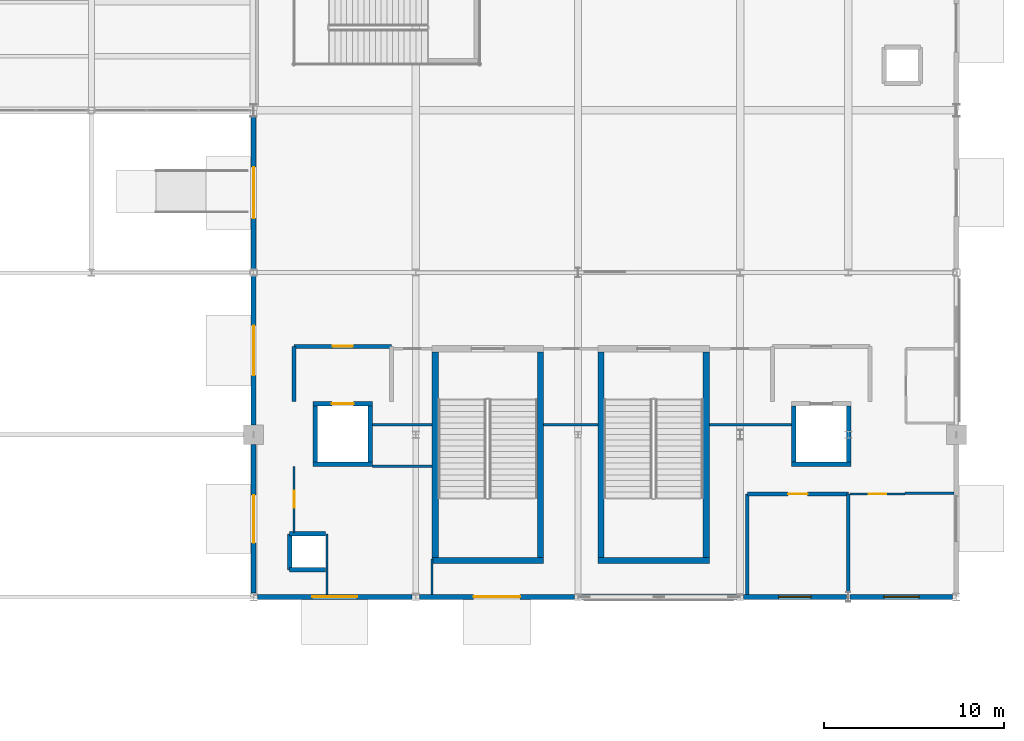
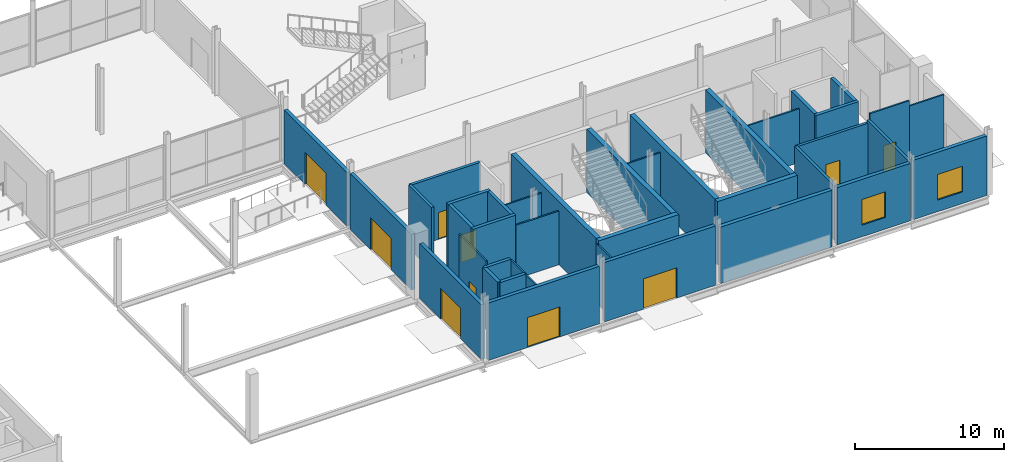
# One storey, part 58 of 94: 38 walls, 10 doors, 2 windows, 12 openings.
"""IFC4 building model written with IfcOpenShell, lengths in metres."""

from ifc_helpers import new_model, si_unit, direction, frame, frame_2d, origin, place, context, subcontext, project, spatial, rectangle, extrude, material, layer, layer_set, type_object, element, fill, save


model = new_model("IFC4")

# Units and contexts
model_context = context("Model", 3, precision=1e-05, world=origin(), true_north=direction((0.0, 1.0)))
body_context = subcontext(model_context, "Body", "Model", "MODEL_VIEW")
ifc_project = project(units=[si_unit("LENGTHUNIT", "METRE"), si_unit("AREAUNIT", "SQUARE_METRE"), si_unit("VOLUMEUNIT", "CUBIC_METRE"), si_unit("PLANEANGLEUNIT", "RADIAN"), si_unit("MASSUNIT", "GRAM", prefix="KILO")], contexts=[model_context])

# Site, building, storey
site_placement = place(None, origin())
site = spatial("IfcSite", under=ifc_project, at=site_placement, CompositionType="ELEMENT")
building_placement = place(site_placement, origin())
building = spatial("IfcBuilding", under=site, at=building_placement, Name="Qamarlyn Nura Convention Centre", CompositionType="ELEMENT")
storey_placement = place(building_placement, origin())
storey = spatial("IfcBuildingStorey", under=building, at=storey_placement, Name="L00", CompositionType="ELEMENT", Elevation=0.0)

# Wall, opening, door
ifc_material_1 = material(Name="Fire-rated acoustic gypsum board and mineral wool EI 120")
ifc_layer_1 = layer(ifc_material_1, 0.219970703125, Name="WT-COMP-220")
ifc_layer_set_1 = layer_set([ifc_layer_1], Name="Fire-rated acoustic gypsum board and mineral wool EI 120")
wall_type_1 = type_object("IfcWallType", Name="WT-COMP-220", PredefinedType="SOLIDWALL", material=ifc_layer_set_1)
wall_1_placement = place(storey_placement, frame((155.25, 13.89990234375, 0.0), z_axis=(0.0, 0.0, 1.0), x_axis=(1.0, 0.0, 0.0)))
wall_1 = element("IfcWall", 1, at=wall_1_placement, inside=storey, type_object=wall_type_1, Name="L00 firefighting lobby barrier wall FFL-01-OPP", PredefinedType="SOLIDWALL", context=body_context, shape_type="SweptSolid", body=[
    extrude(rectangle(XDim=5.39990234375, YDim=0.219970703125, at=frame_2d((2.699951171875, 0.0))), origin(), (0.0, 0.0, 1.0), 5.179931640625),
])
opening_1_placement = place(wall_1_placement, frame((2.139892578125, 0.0, 0.0)))
opening_1 = element("IfcOpeningElement", 2, at=opening_1_placement, cuts=wall_1, Name="Opening DF-104", PredefinedType="OPENING", context=body_context, shape_type="SweptSolid", body=[
    extrude(rectangle(XDim=1.1201171875, YDim=2.199951171875, at=frame_2d((0.56005859375, 1.10009765625))), frame((0.0, 0.1201171875, 0.0), z_axis=(0.0, -1.0, 0.0), x_axis=(1.0, 0.0, 0.0)), (0.0, 0.0, 1.0), 0.239990234375),
])
ifc_material_2 = material(Name="Galvanised fire-rated hollow steel door", Category="steel")
door_type_1 = type_object("IfcDoorType", Name="DR-FFL-1120", OperationType="NOTDEFINED", PredefinedType="DOOR", material=ifc_material_2)
door_1_placement = place(opening_1_placement, origin())
door_1 = element("IfcDoor", 3, at=door_1_placement, inside=storey, type_object=door_type_1, Name="L00 firefighting lobby door FFL-01 (DF-104)", OperationType="SINGLE_SWING_RIGHT", OverallHeight=2.199951171875, OverallWidth=1.1201171875, PredefinedType="DOOR", context=body_context, shape_type="SweptSolid", body=[
    extrude(rectangle(XDim=1.1201171875, YDim=2.199951171875, at=frame_2d((0.56005859375, 1.10009765625))), frame((0.0, 0.02490234375, 0.0), z_axis=(0.0, -1.0, 0.0), x_axis=(1.0, 0.0, 0.0)), (0.0, 0.0, 1.0), 0.050048828125),
])
fill(opening_1, door_1)

# Walls
wall_2_placement = place(storey_placement, frame((155.25, 10.85009765625, 0.0), z_axis=(0.0, 0.0, 1.0), x_axis=(0.0, 1.0, 0.0)))
element("IfcWall", 4, at=wall_2_placement, inside=storey, type_object=wall_type_1, Name="L00 firefighting lobby barrier wall FFL-01-W", PredefinedType="SOLIDWALL", context=body_context, shape_type="SweptSolid", body=[
    extrude(rectangle(XDim=3.0498046875, YDim=0.219970703125, at=frame_2d((1.52490234375, 0.0))), origin(), (0.0, 0.0, 1.0), 5.179931640625),
])
ifc_material_3 = material(Name="Concrete C50/60", Category="concrete")
ifc_layer_2 = layer(ifc_material_3, 0.35009765625, Name="WT-CORE-350")
ifc_layer_set_2 = layer_set([ifc_layer_2], Name="Concrete C50/60")
wall_type_2 = type_object("IfcWallType", Name="WT-CORE-350", PredefinedType="SHEAR", material=ifc_layer_set_2)
wall_3_placement = place(storey_placement, frame((162.89990234375, 2.02490234375, 0.0), z_axis=(0.0, 0.0, 1.0), x_axis=(1.0, 0.0, 0.0)))
element("IfcWall", 5, at=wall_3_placement, inside=storey, type_object=wall_type_2, Name="L00 stair core shear wall ST-09-S", PredefinedType="SHEAR", context=body_context, shape_type="SweptSolid", body=[
    extrude(rectangle(XDim=6.2001953125, YDim=0.35009765625, at=frame_2d((3.10009765625, 0.0))), origin(), (0.0, 0.0, 1.0), 5.179931640625),
])
for number, where, z_axis, x_axis, name in (
    (6, (163.074951171875, 13.60009765625, 0.0), (0.0, 0.0, 1.0), (0.0, -1.0, 0.0), "L00 stair core shear wall ST-09-W"),
    (7, (168.925048828125, 2.199951171875, 0.0), (0.0, 0.0, 1.0), (0.0, 1.0, 0.0), "L00 stair core shear wall ST-09-E"),
):
    element("IfcWall", number, at=place(storey_placement, frame(where, z_axis=z_axis, x_axis=x_axis)), inside=storey, type_object=wall_type_2, Name=name, PredefinedType="SHEAR", context=body_context, shape_type="SweptSolid", body=[
        extrude(rectangle(XDim=11.400146484375, YDim=0.35009765625, at=frame_2d((5.7001953125, 0.0))), origin(), (0.0, 0.0, 1.0), 5.179931640625),
    ])
wall_4_placement = place(storey_placement, frame((172.10009765625, 2.02490234375, 0.0), z_axis=(0.0, 0.0, 1.0), x_axis=(1.0, 0.0, 0.0)))
element("IfcWall", 8, at=wall_4_placement, inside=storey, type_object=wall_type_2, Name="L00 stair core shear wall ST-10-S", PredefinedType="SHEAR", context=body_context, shape_type="SweptSolid", body=[
    extrude(rectangle(XDim=6.199951171875, YDim=0.35009765625, at=frame_2d((3.10009765625, 0.0))), origin(), (0.0, 0.0, 1.0), 5.179931640625),
])
for number, where, z_axis, x_axis, name in (
    (9, (172.27490234375, 13.60009765625, 0.0), (0.0, 0.0, 1.0), (0.0, -1.0, 0.0), "L00 stair core shear wall ST-10-W"),
    (10, (178.125, 2.199951171875, 0.0), (0.0, 0.0, 1.0), (0.0, 1.0, 0.0), "L00 stair core shear wall ST-10-E"),
):
    element("IfcWall", number, at=place(storey_placement, frame(where, z_axis=z_axis, x_axis=x_axis)), inside=storey, type_object=wall_type_2, Name=name, PredefinedType="SHEAR", context=body_context, shape_type="SweptSolid", body=[
        extrude(rectangle(XDim=11.400146484375, YDim=0.35009765625, at=frame_2d((5.7001953125, 0.0))), origin(), (0.0, 0.0, 1.0), 5.179931640625),
    ])

# Wall, opening, door
ifc_material_4 = material(Name="Concrete C40/50", Category="concrete")
ifc_layer_3 = layer(ifc_material_4, 0.280029296875, Name="WT-EXT-280")
ifc_layer_set_3 = layer_set([ifc_layer_3], Name="Concrete C40/50")
wall_type_3 = type_object("IfcWallType", Name="WT-EXT-280", PredefinedType="SOLIDWALL", material=ifc_layer_set_3)
wall_5_placement = place(storey_placement, frame((161.800537109375, 0.0, 0.0), z_axis=(0.0, 0.0, 1.0), x_axis=(-1.0, 0.0, 0.0)))
wall_5 = element("IfcWall", 11, at=wall_5_placement, inside=storey, type_object=wall_type_3, Name="L00 exterior facade wall WEXT-L00-1618-0-1532-0", PredefinedType="SOLIDWALL", context=body_context, shape_type="SweptSolid", body=[
    extrude(rectangle(XDim=8.595947265625, YDim=0.280029296875, at=frame_2d((4.2978515625, 0.0))), origin(), (0.0, 0.0, 1.0), 4.698974609375),
])
opening_2_placement = place(wall_5_placement, frame((3.048095703125, 0.0, 0.0)))
opening_2 = element("IfcOpeningElement", 12, at=opening_2_placement, cuts=wall_5, Name="Opening E-43", PredefinedType="OPENING", context=body_context, shape_type="SweptSolid", body=[
    extrude(rectangle(XDim=2.5, YDim=2.449951171875, at=frame_2d((1.25, 1.22509765625))), frame((0.0, 0.14990234375, 0.0), z_axis=(0.0, -1.0, 0.0), x_axis=(1.0, 0.0, 0.0)), (0.0, 0.0, 1.0), 0.300048828125),
])
ifc_material_5 = material(Name="Champagne-anodised marine aluminium", Category="aluminium")
door_type_2 = type_object("IfcDoorType", Name="DR-EXIT-2500", OperationType="DOUBLE_DOOR_SINGLE_SWING", PredefinedType="DOOR", material=ifc_material_5)
door_2_placement = place(opening_2_placement, origin())
door_2 = element("IfcDoor", 13, at=door_2_placement, inside=storey, type_object=door_type_2, Name="Final exit E-43", OperationType="DOUBLE_DOOR_SINGLE_SWING", OverallHeight=2.449951171875, OverallWidth=2.5, PredefinedType="DOOR", context=body_context, shape_type="SweptSolid", body=[
    extrude(rectangle(XDim=2.5, YDim=2.449951171875, at=frame_2d((1.25, 1.22509765625))), frame((0.0, 0.02490234375, 0.0), z_axis=(0.0, -1.0, 0.0), x_axis=(1.0, 0.0, 0.0)), (0.0, 0.0, 1.0), 0.050048828125),
])
fill(opening_2, door_2)

wall_6_placement = place(storey_placement, frame((170.81298828125, 0.0, 0.0), z_axis=(0.0, 0.0, 1.0), x_axis=(-1.0, 0.0, 0.0)))
wall_6 = element("IfcWall", 14, at=wall_6_placement, inside=storey, type_object=wall_type_3, Name="L00 exterior facade wall WEXT-L00-1708-0-1622-0", PredefinedType="SOLIDWALL", context=body_context, shape_type="SweptSolid", body=[
    extrude(rectangle(XDim=8.613525390625, YDim=0.280029296875, at=frame_2d((4.306640625, 0.0))), origin(), (0.0, 0.0, 1.0), 4.864990234375),
])
opening_3_placement = place(wall_6_placement, frame((3.0166015625, 0.0, 0.0)))
opening_3 = element("IfcOpeningElement", 15, at=opening_3_placement, cuts=wall_6, Name="Opening E-44", PredefinedType="OPENING", context=body_context, shape_type="SweptSolid", body=[
    extrude(rectangle(XDim=2.580078125, YDim=2.47998046875, at=frame_2d((1.2900390625, 1.239990234375))), frame((0.0, 0.14990234375, 0.0), z_axis=(0.0, -1.0, 0.0), x_axis=(1.0, 0.0, 0.0)), (0.0, 0.0, 1.0), 0.300048828125),
])
door_type_3 = type_object("IfcDoorType", Name="DR-EXIT-2580", OperationType="DOUBLE_DOOR_SINGLE_SWING", PredefinedType="DOOR", material=ifc_material_5)
door_3_placement = place(opening_3_placement, origin())
door_3 = element("IfcDoor", 16, at=door_3_placement, inside=storey, type_object=door_type_3, Name="Final exit E-44", OperationType="DOUBLE_DOOR_SINGLE_SWING", OverallHeight=2.47998046875, OverallWidth=2.580078125, PredefinedType="DOOR", context=body_context, shape_type="SweptSolid", body=[
    extrude(rectangle(XDim=2.580078125, YDim=2.47998046875, at=frame_2d((1.2900390625, 1.239990234375))), frame((0.0, 0.02490234375, 0.0), z_axis=(0.0, -1.0, 0.0), x_axis=(1.0, 0.0, 0.0)), (0.0, 0.0, 1.0), 0.050048828125),
])
fill(opening_3, door_3)

# Wall, opening, window
wall_7_placement = place(storey_placement, frame((185.89453125, 0.0, 0.0), z_axis=(0.0, 0.0, 1.0), x_axis=(-1.0, 0.0, 0.0)))
wall_7 = element("IfcWall", 17, at=wall_7_placement, inside=storey, type_object=wall_type_3, Name="L00 exterior facade wall WEXT-L00-1859-0-1802-0", PredefinedType="SOLIDWALL", context=body_context, shape_type="SweptSolid", body=[
    extrude(rectangle(XDim=5.7099609375, YDim=0.280029296875, at=frame_2d((2.85498046875, 0.0))), origin(), (0.0, 0.0, 1.0), 4.698974609375),
])
opening_4_placement = place(wall_7_placement, frame((1.955078125, 0.0, 0.949951171875)))
opening_4 = element("IfcOpeningElement", 18, at=opening_4_placement, cuts=wall_7, Name="Opening WN15", PredefinedType="OPENING", context=body_context, shape_type="SweptSolid", body=[
    extrude(rectangle(XDim=1.800048828125, YDim=2.10009765625, at=frame_2d((0.89990234375, 1.050048828125))), frame((0.0, 0.14990234375, 0.0), z_axis=(0.0, -1.0, 0.0), x_axis=(1.0, 0.0, 0.0)), (0.0, 0.0, 1.0), 0.300048828125),
])
ifc_material_6 = material(Name="Double-silver low-E insulated glass", Category="glass")
window_type_1 = type_object("IfcWindowType", Name="WIN-SOL-15", PartitioningType="SINGLE_PANEL", PredefinedType="WINDOW", material=ifc_material_6)
window_1_placement = place(opening_4_placement, origin())
window_1 = element("IfcWindow", 19, at=window_1_placement, inside=storey, type_object=window_type_1, Name="L00 solar-control window 015", OverallHeight=2.10009765625, OverallWidth=1.800048828125, PartitioningType="SINGLE_PANEL", PredefinedType="WINDOW", context=body_context, shape_type="SweptSolid", body=[
    extrude(rectangle(XDim=1.800048828125, YDim=2.10009765625, at=frame_2d((0.89990234375, 1.050048828125))), frame((0.0, 0.030029296875, 0.0), z_axis=(0.0, -1.0, 0.0), x_axis=(1.0, 0.0, 0.0)), (0.0, 0.0, 1.0), 0.06005859375),
])
fill(opening_4, window_1)

wall_8_placement = place(storey_placement, frame((191.79541015625, 0.0, 0.0), z_axis=(0.0, 0.0, 1.0), x_axis=(-1.0, 0.0, 0.0)))
wall_8 = element("IfcWall", 20, at=wall_8_placement, inside=storey, type_object=wall_type_3, Name="L00 exterior facade wall WEXT-L00-1918-0-1861-0", PredefinedType="SOLIDWALL", context=body_context, shape_type="SweptSolid", body=[
    extrude(rectangle(XDim=5.68994140625, YDim=0.280029296875, at=frame_2d((2.844970703125, 0.0))), origin(), (0.0, 0.0, 1.0), 4.864990234375),
])
opening_5_placement = place(wall_8_placement, frame((1.8701171875, 0.0, 0.949951171875)))
opening_5 = element("IfcOpeningElement", 21, at=opening_5_placement, cuts=wall_8, Name="Opening WN16", PredefinedType="OPENING", context=body_context, shape_type="SweptSolid", body=[
    extrude(rectangle(XDim=1.949951171875, YDim=2.10009765625, at=frame_2d((0.97509765625, 1.050048828125))), frame((0.0, 0.14990234375, 0.0), z_axis=(0.0, -1.0, 0.0), x_axis=(1.0, 0.0, 0.0)), (0.0, 0.0, 1.0), 0.300048828125),
])
window_type_2 = type_object("IfcWindowType", Name="WIN-SOL-16", PartitioningType="SINGLE_PANEL", PredefinedType="WINDOW", material=ifc_material_6)
window_2_placement = place(opening_5_placement, origin())
window_2 = element("IfcWindow", 22, at=window_2_placement, inside=storey, type_object=window_type_2, Name="L00 solar-control window 016", OverallHeight=2.10009765625, OverallWidth=1.949951171875, PartitioningType="SINGLE_PANEL", PredefinedType="WINDOW", context=body_context, shape_type="SweptSolid", body=[
    extrude(rectangle(XDim=1.949951171875, YDim=2.10009765625, at=frame_2d((0.97509765625, 1.050048828125))), frame((0.0, 0.030029296875, 0.0), z_axis=(0.0, -1.0, 0.0), x_axis=(1.0, 0.0, 0.0)), (0.0, 0.0, 1.0), 0.06005859375),
])
fill(opening_5, window_2)

# Wall, opening, door
wall_9_placement = place(storey_placement, frame((153.0, 0.21240234375, 0.0), z_axis=(0.0, 0.0, 1.0), x_axis=(0.0, 1.0, 0.0)))
wall_9 = element("IfcWall", 23, at=wall_9_placement, inside=storey, type_object=wall_type_3, Name="L00 exterior facade wall WEXT-L00-1530-2-1530-84", PredefinedType="SOLIDWALL", context=body_context, shape_type="SweptSolid", body=[
    extrude(rectangle(XDim=8.237548828125, YDim=0.280029296875, at=frame_2d((4.11865234375, 0.0))), origin(), (0.0, 0.0, 1.0), 4.48095703125),
])
opening_6_placement = place(wall_9_placement, frame((2.793701171875, 0.0, 0.0)))
opening_6 = element("IfcOpeningElement", 24, at=opening_6_placement, cuts=wall_9, Name="Opening E-45", PredefinedType="OPENING", context=body_context, shape_type="SweptSolid", body=[
    extrude(rectangle(XDim=2.64990234375, YDim=2.52001953125, at=frame_2d((1.324951171875, 1.260009765625))), frame((0.0, 0.14990234375, 0.0), z_axis=(0.0, -1.0, 0.0), x_axis=(1.0, 0.0, 0.0)), (0.0, 0.0, 1.0), 0.300048828125),
])
door_type_4 = type_object("IfcDoorType", Name="DR-EXIT-2650", OperationType="DOUBLE_DOOR_SINGLE_SWING", PredefinedType="DOOR", material=ifc_material_5)
door_4_placement = place(opening_6_placement, origin())
door_4 = element("IfcDoor", 25, at=door_4_placement, inside=storey, type_object=door_type_4, Name="Final exit E-45", OperationType="DOUBLE_DOOR_SINGLE_SWING", OverallHeight=2.52001953125, OverallWidth=2.64990234375, PredefinedType="DOOR", context=body_context, shape_type="SweptSolid", body=[
    extrude(rectangle(XDim=2.64990234375, YDim=2.52001953125, at=frame_2d((1.324951171875, 1.260009765625))), frame((0.0, 0.02490234375, 0.0), z_axis=(0.0, -1.0, 0.0), x_axis=(1.0, 0.0, 0.0)), (0.0, 0.0, 1.0), 0.050048828125),
])
fill(opening_6, door_4)

wall_10_placement = place(storey_placement, frame((153.0, 9.550048828125, 0.0), z_axis=(0.0, 0.0, 1.0), x_axis=(0.0, 1.0, 0.0)))
wall_10 = element("IfcWall", 26, at=wall_10_placement, inside=storey, type_object=wall_type_3, Name="L00 exterior facade wall WEXT-L00-1530-96-1530-178", PredefinedType="SOLIDWALL", context=body_context, shape_type="SweptSolid", body=[
    extrude(rectangle(XDim=8.25, YDim=0.280029296875, at=frame_2d((4.125, 0.0))), origin(), (0.0, 0.0, 1.0), 4.553955078125),
])
opening_7_placement = place(wall_10_placement, frame((2.75, 0.0, 0.0)))
opening_7 = element("IfcOpeningElement", 27, at=opening_7_placement, cuts=wall_10, Name="Opening E-46", PredefinedType="OPENING", context=body_context, shape_type="SweptSolid", body=[
    extrude(rectangle(XDim=2.75, YDim=2.580078125, at=frame_2d((1.375, 1.2900390625))), frame((0.0, 0.14990234375, 0.0), z_axis=(0.0, -1.0, 0.0), x_axis=(1.0, 0.0, 0.0)), (0.0, 0.0, 1.0), 0.300048828125),
])
door_type_5 = type_object("IfcDoorType", Name="DR-MAIN-2750", OperationType="DOUBLE_DOOR_SINGLE_SWING", PredefinedType="DOOR", material=ifc_material_5)
door_5_placement = place(opening_7_placement, origin())
door_5 = element("IfcDoor", 28, at=door_5_placement, inside=storey, type_object=door_type_5, Name="Final exit E-46", OperationType="DOUBLE_DOOR_SINGLE_SWING", OverallHeight=2.580078125, OverallWidth=2.75, PredefinedType="DOOR", context=body_context, shape_type="SweptSolid", body=[
    extrude(rectangle(XDim=2.75, YDim=2.580078125, at=frame_2d((1.375, 1.2900390625))), frame((0.0, 0.02490234375, 0.0), z_axis=(0.0, -1.0, 0.0), x_axis=(1.0, 0.0, 0.0)), (0.0, 0.0, 1.0), 0.050048828125),
])
fill(opening_7, door_5)

wall_11_placement = place(storey_placement, frame((153.0, 18.199951171875, 0.0), z_axis=(0.0, 0.0, 1.0), x_axis=(0.0, 1.0, 0.0)))
wall_11 = element("IfcWall", 29, at=wall_11_placement, inside=storey, type_object=wall_type_3, Name="L00 exterior facade wall WEXT-L00-1530-182-1530-267", PredefinedType="SOLIDWALL", context=body_context, shape_type="SweptSolid", body=[
    extrude(rectangle(XDim=8.45263671875, YDim=0.280029296875, at=frame_2d((4.226318359375, 0.0))), origin(), (0.0, 0.0, 1.0), 4.39208984375),
])
opening_8_placement = place(wall_11_placement, frame((2.80126953125, 0.0, 0.0)))
opening_8 = element("IfcOpeningElement", 30, at=opening_8_placement, cuts=wall_11, Name="Opening E-47", PredefinedType="OPENING", context=body_context, shape_type="SweptSolid", body=[
    extrude(rectangle(XDim=2.85009765625, YDim=2.6201171875, at=frame_2d((1.425048828125, 1.31005859375))), frame((0.0, 0.14990234375, 0.0), z_axis=(0.0, -1.0, 0.0), x_axis=(1.0, 0.0, 0.0)), (0.0, 0.0, 1.0), 0.300048828125),
])
door_type_6 = type_object("IfcDoorType", Name="DR-MAIN-2850", OperationType="DOUBLE_DOOR_SINGLE_SWING", PredefinedType="DOOR", material=ifc_material_5)
door_6_placement = place(opening_8_placement, origin())
door_6 = element("IfcDoor", 31, at=door_6_placement, inside=storey, type_object=door_type_6, Name="Final exit E-47", OperationType="DOUBLE_DOOR_SINGLE_SWING", OverallHeight=2.6201171875, OverallWidth=2.85009765625, PredefinedType="DOOR", context=body_context, shape_type="SweptSolid", body=[
    extrude(rectangle(XDim=2.85009765625, YDim=2.6201171875, at=frame_2d((1.425048828125, 1.31005859375))), frame((0.0, 0.02490234375, 0.0), z_axis=(0.0, -1.0, 0.0), x_axis=(1.0, 0.0, 0.0)), (0.0, 0.0, 1.0), 0.050048828125),
])
fill(opening_8, door_6)

# Walls
ifc_material_7 = material(Name="Concrete C40/50 with UAE coastal limestone stone facing", Category="masonry")
ifc_layer_4 = layer(ifc_material_7, 0.300048828125, Name="WT-LIME-300")
ifc_layer_set_4 = layer_set([ifc_layer_4], Name="Concrete C40/50 with UAE coastal limestone stone facing")
wall_type_4 = type_object("IfcWallType", Name="WT-LIME-300", PredefinedType="SOLIDWALL", material=ifc_layer_set_4)
wall_12_placement = place(storey_placement, frame((179.8154296875, 0.0, 0.0), z_axis=(0.0, 0.0, 1.0), x_axis=(-1.0, 0.0, 0.0)))
element("IfcWall", 32, at=wall_12_placement, inside=storey, type_object=wall_type_4, Name="L00 exterior facade wall WEXT-L00-1798-0-1712-0", PredefinedType="SOLIDWALL", context=body_context, shape_type="SweptSolid", body=[
    extrude(rectangle(XDim=8.62841796875, YDim=0.300048828125, at=frame_2d((4.314208984375, 0.0))), origin(), (0.0, 0.0, 1.0), 4.6259765625),
])
ifc_material_8 = material(Name="Acoustic double-stud gypsum partition")
ifc_layer_5 = layer(ifc_material_8, 0.1201171875, Name="WT-PART-120")
ifc_layer_set_5 = layer_set([ifc_layer_5], Name="Acoustic double-stud gypsum partition")
wall_type_5 = type_object("IfcWallType", Name="WT-PART-120", PredefinedType="PARTITIONING", material=ifc_layer_set_5)
wall_13_placement = place(storey_placement, frame((162.89990234375, 9.550048828125, 0.0), z_axis=(0.0, 0.0, 1.0), x_axis=(-1.0, 0.0, 0.0)))
element("IfcWall", 33, at=wall_13_placement, inside=storey, type_object=wall_type_5, Name="L00 interior partition L00-WC-M-L00-24-1", PredefinedType="PARTITIONING", context=body_context, shape_type="SweptSolid", body=[
    extrude(rectangle(XDim=3.2998046875, YDim=0.1201171875, at=frame_2d((1.64990234375, 0.0))), origin(), (0.0, 0.0, 1.0), 4.469970703125),
])
wall_14_placement = place(storey_placement, frame((172.10009765625, 9.550048828125, 0.0), z_axis=(0.0, 0.0, 1.0), x_axis=(-1.0, 0.0, 0.0)))
element("IfcWall", 34, at=wall_14_placement, inside=storey, type_object=wall_type_5, Name="L00 interior partition L00-WC-S-L00-7-1", PredefinedType="PARTITIONING", context=body_context, shape_type="SweptSolid", body=[
    extrude(rectangle(XDim=3.0, YDim=0.1201171875, at=frame_2d((1.5, 0.0))), origin(), (0.0, 0.0, 1.0), 4.553955078125),
])
wall_15_placement = place(storey_placement, frame((182.85009765625, 9.550048828125, 0.0), z_axis=(0.0, 0.0, 1.0), x_axis=(-1.0, 0.0, 0.0)))
element("IfcWall", 35, at=wall_15_placement, inside=storey, type_object=wall_type_5, Name="L00 interior partition L00-WC-F-L00-20-1", PredefinedType="PARTITIONING", context=body_context, shape_type="SweptSolid", body=[
    extrude(rectangle(XDim=4.550048828125, YDim=0.1201171875, at=frame_2d((2.27490234375, 0.0))), origin(), (0.0, 0.0, 1.0), 4.39208984375),
])

# Wall, opening, door
wall_16_placement = place(storey_placement, frame((186.10009765625, 5.7099609375, 0.0), z_axis=(0.0, 0.0, 1.0), x_axis=(1.0, 0.0, 0.0)))
wall_16 = element("IfcWall", 36, at=wall_16_placement, inside=storey, type_object=wall_type_5, Name="L00 interior partition L00-SEC-OFF-17-1", PredefinedType="PARTITIONING", context=body_context, shape_type="SweptSolid", body=[
    extrude(rectangle(XDim=3.0498046875, YDim=0.1201171875, at=frame_2d((1.52490234375, 0.0))), origin(), (0.0, 0.0, 1.0), 5.179931640625),
])
opening_9_placement = place(wall_16_placement, frame((1.044921875, 0.0, 0.0)))
opening_9 = element("IfcOpeningElement", 37, at=opening_9_placement, cuts=wall_16, Name="Opening D-L00-145", PredefinedType="OPENING", context=body_context, shape_type="SweptSolid", body=[
    extrude(rectangle(XDim=0.9599609375, YDim=2.14990234375, at=frame_2d((0.47998046875, 1.074951171875))), frame((0.0, 0.070068359375, 0.0), z_axis=(0.0, -1.0, 0.0), x_axis=(1.0, 0.0, 0.0)), (0.0, 0.0, 1.0), 0.14013671875),
])
ifc_material_9 = material(Name="Acoustic walnut timber leaf", Category="wood")
door_type_7 = type_object("IfcDoorType", Name="DR-ROOM-0960", OperationType="NOTDEFINED", PredefinedType="DOOR", material=ifc_material_9)
door_7_placement = place(opening_9_placement, origin())
door_7 = element("IfcDoor", 38, at=door_7_placement, inside=storey, type_object=door_type_7, Name="L00 Venue Security Control Office door D-L00-145", OperationType="SINGLE_SWING_LEFT", OverallHeight=2.14990234375, OverallWidth=0.9599609375, PredefinedType="DOOR", context=body_context, shape_type="SweptSolid", body=[
    extrude(rectangle(XDim=0.9599609375, YDim=2.14990234375, at=frame_2d((0.47998046875, 1.074951171875))), frame((0.0, 0.02490234375, 0.0), z_axis=(0.0, -1.0, 0.0), x_axis=(1.0, 0.0, 0.0)), (0.0, 0.0, 1.0), 0.050048828125),
])
fill(opening_9, door_7)

# Walls
wall_17_placement = place(storey_placement, frame((189.14990234375, 5.75, 0.0), z_axis=(0.0, 0.0, 1.0), x_axis=(1.0, 0.0, 0.0)))
element("IfcWall", 39, at=wall_17_placement, inside=storey, type_object=wall_type_5, Name="L00 interior partition L00-SEC-OFF-34-1", PredefinedType="PARTITIONING", context=body_context, shape_type="SweptSolid", body=[
    extrude(rectangle(XDim=2.710205078125, YDim=0.1201171875, at=frame_2d((1.35498046875, 0.0))), origin(), (0.0, 0.0, 1.0), 4.698974609375),
])
wall_18_placement = place(storey_placement, frame((159.60009765625, 7.25, 0.0), z_axis=(0.0, 0.0, 1.0), x_axis=(1.0, 0.0, 0.0)))
element("IfcWall", 40, at=wall_18_placement, inside=storey, type_object=wall_type_5, Name="L00 interior partition L00-VIP-MAJL-8-1", PredefinedType="PARTITIONING", context=body_context, shape_type="SweptSolid", body=[
    extrude(rectangle(XDim=3.2998046875, YDim=0.1201171875, at=frame_2d((1.64990234375, 0.0))), origin(), (0.0, 0.0, 1.0), 4.39208984375),
])
wall_19_placement = place(storey_placement, frame((162.89990234375, 2.117431640625, 0.0), z_axis=(0.0, 0.0, 1.0), x_axis=(0.0, -1.0, 0.0)))
element("IfcWall", 41, at=wall_19_placement, inside=storey, type_object=wall_type_5, Name="L00 interior partition L00-VIP-MAJL-13-1", PredefinedType="PARTITIONING", context=body_context, shape_type="SweptSolid", body=[
    extrude(rectangle(XDim=1.9775390625, YDim=0.1201171875, at=frame_2d((0.98876953125, 0.0))), origin(), (0.0, 0.0, 1.0), 4.864990234375),
])
wall_20_placement = place(storey_placement, frame((157.080078125, 0.139892578125, 0.0), z_axis=(0.0, 0.0, 1.0), x_axis=(0.0, 1.0, 0.0)))
element("IfcWall", 42, at=wall_20_placement, inside=storey, type_object=wall_type_5, Name="L00 interior partition L00-VIP-MAJL-33-1", PredefinedType="PARTITIONING", context=body_context, shape_type="SweptSolid", body=[
    extrude(rectangle(XDim=3.360107421875, YDim=0.1201171875, at=frame_2d((1.68017578125, 0.0))), origin(), (0.0, 0.0, 1.0), 4.698974609375),
])

# Wall, opening, door
wall_21_placement = place(storey_placement, frame((155.25, 3.580078125, 0.0), z_axis=(0.0, 0.0, 1.0), x_axis=(0.0, 1.0, 0.0)))
wall_21 = element("IfcWall", 43, at=wall_21_placement, inside=storey, type_object=wall_type_5, Name="L00 interior partition L00-VIP-MAJL-51-1", PredefinedType="PARTITIONING", context=body_context, shape_type="SweptSolid", body=[
    extrude(rectangle(XDim=3.669921875, YDim=0.1201171875, at=frame_2d((1.8349609375, 0.0))), origin(), (0.0, 0.0, 1.0), 5.179931640625),
])
opening_10_placement = place(wall_21_placement, frame((1.364990234375, 0.0, 0.0)))
opening_10 = element("IfcOpeningElement", 44, at=opening_10_placement, cuts=wall_21, Name="Opening D-L00-146", PredefinedType="OPENING", context=body_context, shape_type="SweptSolid", body=[
    extrude(rectangle(XDim=0.93994140625, YDim=2.14990234375, at=frame_2d((0.469970703125, 1.074951171875))), frame((0.0, 0.070068359375, 0.0), z_axis=(0.0, -1.0, 0.0), x_axis=(1.0, 0.0, 0.0)), (0.0, 0.0, 1.0), 0.14013671875),
])
door_type_8 = type_object("IfcDoorType", Name="DR-ROOM-0940", OperationType="NOTDEFINED", PredefinedType="DOOR", material=ifc_material_9)
door_8_placement = place(opening_10_placement, origin())
door_8 = element("IfcDoor", 45, at=door_8_placement, inside=storey, type_object=door_type_8, Name="L00 VIP Protocol Majlis door D-L00-146", OperationType="SINGLE_SWING_RIGHT", OverallHeight=2.14990234375, OverallWidth=0.93994140625, PredefinedType="DOOR", context=body_context, shape_type="SweptSolid", body=[
    extrude(rectangle(XDim=0.93994140625, YDim=2.14990234375, at=frame_2d((0.469970703125, 1.074951171875))), frame((0.0, 0.02490234375, 0.0), z_axis=(0.0, -1.0, 0.0), x_axis=(1.0, 0.0, 0.0)), (0.0, 0.0, 1.0), 0.050048828125),
])
fill(opening_10, door_8)

ifc_material_10 = material(Name="Fire-rated acoustic gypsum board EI 60")
ifc_layer_6 = layer(ifc_material_10, 0.199951171875, Name="WT-PART-200")
ifc_layer_set_6 = layer_set([ifc_layer_6], Name="Fire-rated acoustic gypsum board EI 60")
wall_type_6 = type_object("IfcWallType", Name="WT-PART-200", PredefinedType="PARTITIONING", material=ifc_layer_set_6)
wall_22_placement = place(storey_placement, frame((180.39990234375, 5.7099609375, 0.0), z_axis=(0.0, 0.0, 1.0), x_axis=(1.0, 0.0, 0.0)))
wall_22 = element("IfcWall", 46, at=wall_22_placement, inside=storey, type_object=wall_type_6, Name="L00 interior partition L00-FCC-MAIN-1-1", PredefinedType="PARTITIONING", context=body_context, shape_type="SweptSolid", body=[
    extrude(rectangle(XDim=5.60009765625, YDim=0.199951171875, at=frame_2d((2.800048828125, 0.0))), origin(), (0.0, 0.0, 1.0), 4.48095703125),
])
opening_11_placement = place(wall_22_placement, frame((2.260009765625, 0.0, 0.0)))
opening_11 = element("IfcOpeningElement", 47, at=opening_11_placement, cuts=wall_22, Name="Opening D-L00-144", PredefinedType="OPENING", context=body_context, shape_type="SweptSolid", body=[
    extrude(rectangle(XDim=1.080078125, YDim=2.219970703125, at=frame_2d((0.5400390625, 1.10986328125))), frame((0.0, 0.10986328125, 0.0), z_axis=(0.0, -1.0, 0.0), x_axis=(1.0, 0.0, 0.0)), (0.0, 0.0, 1.0), 0.219970703125),
])
door_type_9 = type_object("IfcDoorType", Name="DR-ROOM-1080", OperationType="NOTDEFINED", PredefinedType="DOOR", material=ifc_material_9)
door_9_placement = place(opening_11_placement, origin())
door_9 = element("IfcDoor", 48, at=door_9_placement, inside=storey, type_object=door_type_9, Name="L00 Fire Command Centre door D-L00-144", OperationType="SINGLE_SWING_RIGHT", OverallHeight=2.219970703125, OverallWidth=1.080078125, PredefinedType="DOOR", context=body_context, shape_type="SweptSolid", body=[
    extrude(rectangle(XDim=1.080078125, YDim=2.219970703125, at=frame_2d((0.5400390625, 1.10986328125))), frame((0.0, 0.02490234375, 0.0), z_axis=(0.0, -1.0, 0.0), x_axis=(1.0, 0.0, 0.0)), (0.0, 0.0, 1.0), 0.050048828125),
])
fill(opening_11, door_9)

# Walls
wall_23_placement = place(storey_placement, frame((186.0, 5.7099609375, 0.0), z_axis=(0.0, 0.0, 1.0), x_axis=(0.0, -1.0, 0.0)))
element("IfcWall", 49, at=wall_23_placement, inside=storey, type_object=wall_type_6, Name="L00 interior partition L00-FCC-MAIN-2-1", PredefinedType="PARTITIONING", context=body_context, shape_type="SweptSolid", body=[
    extrude(rectangle(XDim=5.429931640625, YDim=0.199951171875, at=frame_2d((2.71484375, 0.0))), origin(), (0.0, 0.0, 1.0), 4.698974609375),
])
wall_24_placement = place(storey_placement, frame((180.39990234375, 0.139892578125, 0.0), z_axis=(0.0, 0.0, 1.0), x_axis=(0.0, 1.0, 0.0)))
element("IfcWall", 50, at=wall_24_placement, inside=storey, type_object=wall_type_6, Name="L00 interior partition L00-FCC-MAIN-4-1", PredefinedType="PARTITIONING", context=body_context, shape_type="SweptSolid", body=[
    extrude(rectangle(XDim=5.570068359375, YDim=0.199951171875, at=frame_2d((2.78515625, 0.0))), origin(), (0.0, 0.0, 1.0), 4.48095703125),
])
ifc_layer_7 = layer(ifc_material_1, 0.25, Name="WT-SHAFT-250")
ifc_layer_set_7 = layer_set([ifc_layer_7], Name="Fire-rated acoustic gypsum board and mineral wool EI 120")
wall_type_7 = type_object("IfcWallType", Name="WT-SHAFT-250", PredefinedType="SOLIDWALL", material=ifc_layer_set_7)
wall_25_placement = place(storey_placement, frame((156.300048828125, 7.375, 0.0), z_axis=(0.0, 0.0, 1.0), x_axis=(1.0, 0.0, 0.0)))
element("IfcWall", 51, at=wall_25_placement, inside=storey, type_object=wall_type_7, Name="L00 lift shaft enclosure wall FFL-01 -y", PredefinedType="SOLIDWALL", context=body_context, shape_type="SweptSolid", body=[
    extrude(rectangle(XDim=3.300048828125, YDim=0.25, at=frame_2d((1.64990234375, 0.0))), origin(), (0.0, 0.0, 1.0), 5.179931640625),
])

# Wall, opening, door
wall_26_placement = place(storey_placement, frame((159.60009765625, 10.72509765625, 0.0), z_axis=(0.0, 0.0, 1.0), x_axis=(-1.0, 0.0, 0.0)))
wall_26 = element("IfcWall", 52, at=wall_26_placement, inside=storey, type_object=wall_type_7, Name="L00 lift shaft enclosure wall FFL-01 +y", PredefinedType="SOLIDWALL", context=body_context, shape_type="SweptSolid", body=[
    extrude(rectangle(XDim=3.300048828125, YDim=0.25, at=frame_2d((1.64990234375, 0.0))), origin(), (0.0, 0.0, 1.0), 5.179931640625),
])
opening_12_placement = place(wall_26_placement, frame((1.050048828125, 0.0, 0.0)))
opening_12 = element("IfcOpeningElement", 53, at=opening_12_placement, cuts=wall_26, Name="Opening LD-FFL-01-L00", PredefinedType="OPENING", context=body_context, shape_type="SweptSolid", body=[
    extrude(rectangle(XDim=1.199951171875, YDim=2.25, at=frame_2d((0.60009765625, 1.125))), frame((0.0, 0.135009765625, 0.0), z_axis=(0.0, -1.0, 0.0), x_axis=(1.0, 0.0, 0.0)), (0.0, 0.0, 1.0), 0.27001953125),
])
ifc_material_11 = material(Name="Marine Grade 316 stainless steel", Category="steel")
door_type_10 = type_object("IfcDoorType", Name="DR-LD-FFL", OperationType="DOUBLE_DOOR_SLIDING", PredefinedType="DOOR", material=ifc_material_11)
door_10_placement = place(opening_12_placement, origin())
door_10 = element("IfcDoor", 54, at=door_10_placement, inside=storey, type_object=door_type_10, Name="Lift landing door LD-FFL-01-L00", OperationType="DOUBLE_DOOR_SLIDING", OverallHeight=2.25, OverallWidth=1.199951171875, PredefinedType="DOOR", context=body_context, shape_type="SweptSolid", body=[
    extrude(rectangle(XDim=1.199951171875, YDim=2.25, at=frame_2d((0.60009765625, 1.125))), frame((0.0, 0.02490234375, 0.0), z_axis=(0.0, -1.0, 0.0), x_axis=(1.0, 0.0, 0.0)), (0.0, 0.0, 1.0), 0.050048828125),
])
fill(opening_12, door_10)

# Walls
for number, where, z_axis, x_axis, name in (
    (55, (156.425048828125, 10.60009765625, 0.0), (0.0, 0.0, 1.0), (0.0, -1.0, 0.0), "L00 lift shaft enclosure wall FFL-01 -x"),
    (56, (159.47509765625, 7.5, 0.0), (0.0, 0.0, 1.0), (0.0, 1.0, 0.0), "L00 lift shaft enclosure wall FFL-01 +x"),
):
    element("IfcWall", number, at=place(storey_placement, frame(where, z_axis=z_axis, x_axis=x_axis)), inside=storey, type_object=wall_type_7, Name=name, PredefinedType="SOLIDWALL", context=body_context, shape_type="SweptSolid", body=[
        extrude(rectangle(XDim=3.10009765625, YDim=0.25, at=frame_2d((1.550048828125, 0.0))), origin(), (0.0, 0.0, 1.0), 5.179931640625),
    ])
wall_27_placement = place(storey_placement, frame((182.85009765625, 7.375, 0.0), z_axis=(0.0, 0.0, 1.0), x_axis=(1.0, 0.0, 0.0)))
element("IfcWall", 57, at=wall_27_placement, inside=storey, type_object=wall_type_7, Name="L00 lift shaft enclosure wall FFL-02 -y", PredefinedType="SOLIDWALL", context=body_context, shape_type="SweptSolid", body=[
    extrude(rectangle(XDim=3.2998046875, YDim=0.25, at=frame_2d((1.64990234375, 0.0))), origin(), (0.0, 0.0, 1.0), 5.179931640625),
])
for number, where, z_axis, x_axis, name in (
    (58, (182.97509765625, 10.60009765625, 0.0), (0.0, 0.0, 1.0), (0.0, -1.0, 0.0), "L00 lift shaft enclosure wall FFL-02 -x"),
    (59, (186.02490234375, 7.5, 0.0), (0.0, 0.0, 1.0), (0.0, 1.0, 0.0), "L00 lift shaft enclosure wall FFL-02 +x"),
):
    element("IfcWall", number, at=place(storey_placement, frame(where, z_axis=z_axis, x_axis=x_axis)), inside=storey, type_object=wall_type_7, Name=name, PredefinedType="SOLIDWALL", context=body_context, shape_type="SweptSolid", body=[
        extrude(rectangle(XDim=3.10009765625, YDim=0.25, at=frame_2d((1.550048828125, 0.0))), origin(), (0.0, 0.0, 1.0), 5.179931640625),
    ])
for number, where, z_axis, x_axis, name in (
    (60, (155.0, 1.5, 0.0), (0.0, 0.0, 1.0), (1.0, 0.0, 0.0), "L00 MEP riser shaft wall 12-S"),
    (61, (157.0, 3.5, 0.0), (0.0, 0.0, 1.0), (-1.0, 0.0, 0.0), "L00 MEP riser shaft wall 12-N"),
    (62, (155.0, 3.5, 0.0), (0.0, 0.0, 1.0), (0.0, -1.0, 0.0), "L00 MEP riser shaft wall 12-W"),
):
    element("IfcWall", number, at=place(storey_placement, frame(where, z_axis=z_axis, x_axis=x_axis)), inside=storey, type_object=wall_type_7, Name=name, PredefinedType="SOLIDWALL", context=body_context, shape_type="SweptSolid", body=[
        extrude(rectangle(XDim=2.0, YDim=0.25, at=frame_2d((1.0, 0.0))), origin(), (0.0, 0.0, 1.0), 4.830078125),
    ])

save(model, "model.ifc")
